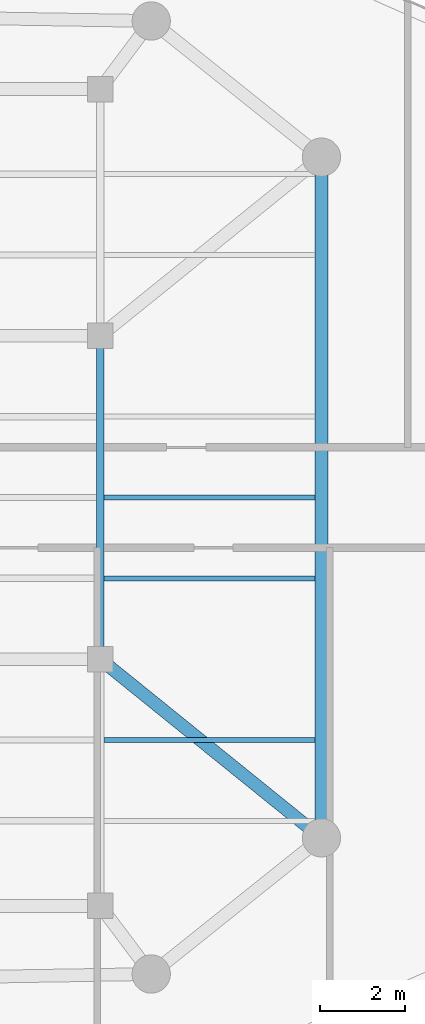
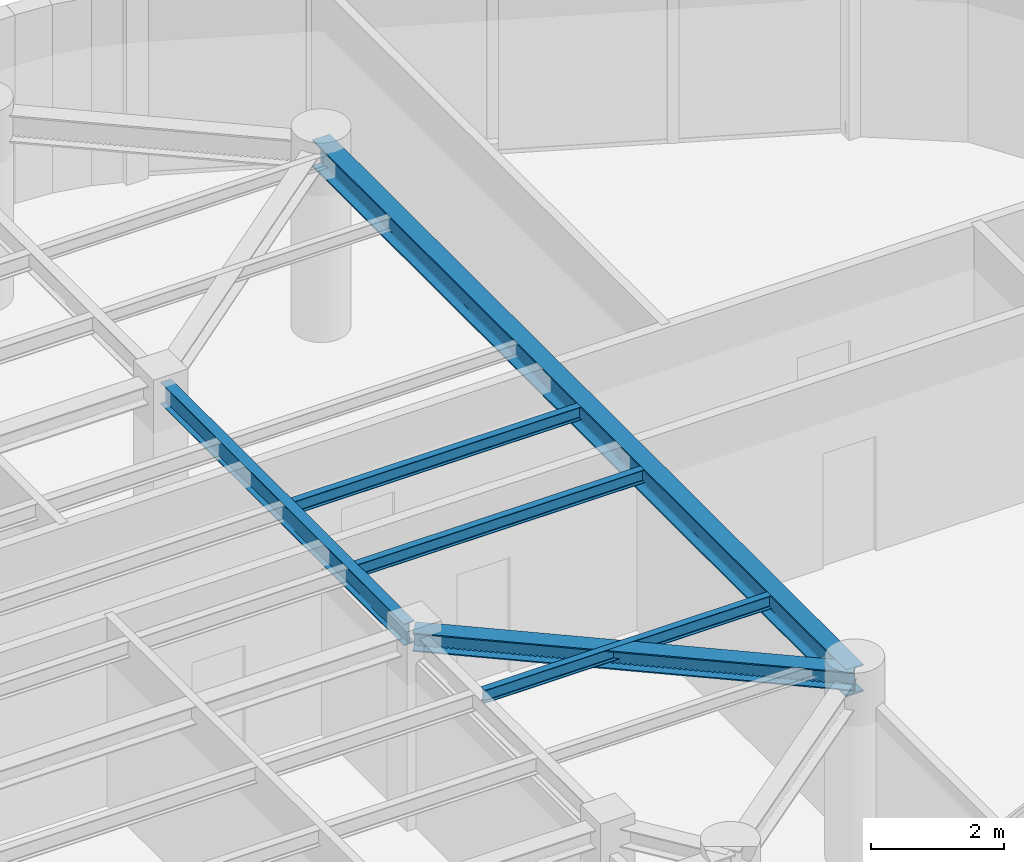
# One storey, part 3 of 14: 6 beams.
"""IFC4 building model written with IfcOpenShell, lengths in metres."""

import ifcopenshell
import ifcopenshell.guid

model = None  # the IFC model being written
_history = None  # IfcOwnerHistory: only IFC2X3 demands one
_inside = {}  # id of a spatial element -> (the spatial element, [elements in it])
_under = {}  # id of a project, library or spatial element -> (it, [spatial elements below it])
_declared = {}  # id of a project -> (the project, [libraries it declares])
_typed = {}  # id of a type object -> (the type object, [elements of that type])
_made_of = {}  # id of a material, layer set ... -> (it, [elements and type objects made of it])


def new_model(schema):
    """Start an empty IFC model of exactly this schema.

    Asked for "IFC4X3", IfcOpenShell would pick the latest addendum, in which some entities
    have other attributes; the version numbers below select the first issue.
    IFC2X3 requires an IfcOwnerHistory on every rooted entity: one is made here for all.
    """
    global model, _history
    if schema == "IFC4X3":
        model = ifcopenshell.file(schema_version=(4, 3, 0, 0))
    else:
        model = ifcopenshell.file(schema=schema)
    _inside.clear()
    _under.clear()
    _declared.clear()
    _typed.clear()
    _made_of.clear()
    _history = None
    if model.schema == "IFC2X3":
        org = make("IfcOrganization", Name="unknown")
        user = make(
            "IfcPersonAndOrganization",
            ThePerson=make("IfcPerson", FamilyName="unknown"),
            TheOrganization=org,
        )
        app = make(
            "IfcApplication",
            ApplicationDeveloper=org,
            Version="unknown",
            ApplicationFullName="unknown",
            ApplicationIdentifier="unknown",
        )
        _history = make(
            "IfcOwnerHistory",
            OwningUser=user,
            OwningApplication=app,
            ChangeAction="ADDED",
            CreationDate=0,
        )
    return model


def make(cls, **values):
    """One entity of the class cls with the attributes given. An attribute that is None is left unset."""
    return model.create_entity(
        cls, **{name: value for name, value in values.items() if value is not None}
    )


def rooted(cls, **values):
    """An entity with a GlobalId (a new one), such as an element, a storey or a relation."""
    return make(cls, GlobalId=ifcopenshell.guid.new(), OwnerHistory=_history, **values)


def si_unit(unit_type, name, prefix=None):
    """IfcSIUnit, for example si_unit("LENGTHUNIT", "METRE", prefix="MILLI")."""
    return make("IfcSIUnit", UnitType=unit_type, Prefix=prefix, Name=name)


def assignment(units):
    """IfcUnitAssignment: the units of a project."""
    return None if units is None else make("IfcUnitAssignment", Units=units)


def point(xyz):
    """IfcCartesianPoint."""
    return None if xyz is None else make("IfcCartesianPoint", Coordinates=xyz)


def direction(xyz):
    """IfcDirection."""
    return None if xyz is None else make("IfcDirection", DirectionRatios=xyz)


def frame(location, z_axis=None, x_axis=None):
    """IfcAxis2Placement3D, a coordinate frame: its origin and axes. An axis left out is left unset."""
    return make(
        "IfcAxis2Placement3D",
        Location=point(location),
        Axis=direction(z_axis),
        RefDirection=direction(x_axis),
    )


def frame_2d(location, x_axis=None):
    """IfcAxis2Placement2D, a coordinate frame in the plane: its origin and x axis."""
    return make(
        "IfcAxis2Placement2D", Location=point(location), RefDirection=direction(x_axis)
    )


def origin():
    """The frame at (0, 0, 0) with its axes left unset."""
    return frame((0.0, 0.0, 0.0))


def origin_2d():
    """The frame at (0, 0) in the plane with its x axis left unset."""
    return frame_2d((0.0, 0.0))


def place(relative_to, where):
    """IfcLocalPlacement: puts the frame where relative to a parent placement (None: the world)."""
    return make(
        "IfcLocalPlacement", PlacementRelTo=relative_to, RelativePlacement=where
    )


def context(
    kind, dimensions, precision=None, world=None, true_north=None, identifier=None
):
    """IfcGeometricRepresentationContext, for example the 3D "Model" context."""
    return make(
        "IfcGeometricRepresentationContext",
        ContextIdentifier=identifier,
        ContextType=kind,
        CoordinateSpaceDimension=dimensions,
        Precision=precision,
        WorldCoordinateSystem=world,
        TrueNorth=true_north,
    )


def subcontext(parent, identifier, kind, view, scale=None):
    """IfcGeometricRepresentationSubContext, for example "Body" below "Model"."""
    return make(
        "IfcGeometricRepresentationSubContext",
        ContextIdentifier=identifier,
        ContextType=kind,
        ParentContext=parent,
        TargetScale=scale,
        TargetView=view,
    )


def project(units=None, contexts=None):
    """IfcProject with its units and contexts."""
    return rooted(
        "IfcProject",
        Name="project",
        RepresentationContexts=contexts,
        UnitsInContext=assignment(units),
    )


def spatial(cls, under=None, at=None, **own):
    """A site, building, storey or space (cls), placed at a placement, below another one or the project."""
    s = rooted(cls, ObjectPlacement=at, **own)
    if under is not None:
        _under.setdefault(under.id(), (under, []))[1].append(s)
    return s


def profile(cls, at=None, kind="AREA", **sizes):
    """A parametric profile (cls). Its sizes go by their IFC names, for example OverallWidth=200.0."""
    return make(cls, ProfileType=kind, Position=at, **sizes)


def i_section(**sizes):
    """IfcIShapeProfileDef."""
    return profile("IfcIShapeProfileDef", **sizes)


def extrude(swept, where, along, depth):
    """IfcExtrudedAreaSolid: the profile swept, set in the frame where, extruded along a direction by depth."""
    return make(
        "IfcExtrudedAreaSolid",
        SweptArea=swept,
        Position=where,
        ExtrudedDirection=direction(along),
        Depth=depth,
    )


def shape(context_of_items, identifier, shape_type, items):
    """IfcShapeRepresentation: the items that make up one representation, for example the "Body"."""
    return make(
        "IfcShapeRepresentation",
        ContextOfItems=context_of_items,
        RepresentationIdentifier=identifier,
        RepresentationType=shape_type,
        Items=items,
    )


def material(Name=None, Category=None):
    """IfcMaterial."""
    return make("IfcMaterial", Name=Name, Category=Category)


def material_profile(
    of_material, cross_section, Name=None, Category=None, Priority=None
):
    """IfcMaterialProfile: a cross section and its material."""
    return make(
        "IfcMaterialProfile",
        Name=Name,
        Material=of_material,
        Profile=cross_section,
        Priority=Priority,
        Category=Category,
    )


def profile_set(profiles, Name=None, composite=None):
    """IfcMaterialProfileSet."""
    return make(
        "IfcMaterialProfileSet",
        Name=Name,
        MaterialProfiles=profiles,
        CompositeProfile=composite,
    )


def made_of(thing, what):
    """Note that an element or type object is made of a material, layer set ...; save() writes the relation."""
    if what is not None:
        _made_of.setdefault(what.id(), (what, []))[1].append(thing)
    return thing


def type_object(cls, material=None, **own):
    """A type object (cls), such as IfcWallType, which elements share."""
    return made_of(rooted(cls, **own), material)


def element(
    cls,
    number,
    at=None,
    inside=None,
    cuts=None,
    type_object=None,
    material=None,
    context=None,
    identifier="Body",
    shape_type=None,
    held_by="IfcProductDefinitionShape",
    body=None,
    shapes=None,
    **own,
):
    """One element of the class cls, such as IfcWall. Its Tag is "e" and its number.

    at: its placement. inside: the storey or other place that contains it. cuts: it is an
    opening in that element (IfcRelVoidsElement). A single representation is given by context,
    identifier, shape_type and body (its items); several are given by shapes. held_by: the class
    of the entity that holds the representations. save() writes the other relations.
    """
    e = rooted(cls, Tag="e%d" % number, ObjectPlacement=at, **own)
    if body is not None:
        shapes = [shape(context, identifier, shape_type, body)]
    if shapes is not None:
        e.Representation = make(held_by, Representations=shapes)
    if inside is not None:
        _inside.setdefault(inside.id(), (inside, []))[1].append(e)
    if cuts is not None:
        rooted(
            "IfcRelVoidsElement", RelatingBuildingElement=cuts, RelatedOpeningElement=e
        )
    if type_object is not None:
        _typed.setdefault(type_object.id(), (type_object, []))[1].append(e)
    return made_of(e, material)


def aggregate(whole, parts):
    """IfcRelAggregates: a whole, such as a stair, and the parts it consists of."""
    return rooted("IfcRelAggregates", RelatingObject=whole, RelatedObjects=parts)


def save(model, path):
    """Write the relations noted so far, then the file.

    IfcRelAggregates (storeys below a building ...), IfcRelContainedInSpatialStructure (elements
    in a storey), IfcRelDefinesByType, IfcRelAssociatesMaterial and IfcRelDeclares: one each for
    every whole, place, type object, material and project.
    """
    for whole, parts in _under.values():
        aggregate(whole, parts)
    for where, things in _inside.values():
        rooted(
            "IfcRelContainedInSpatialStructure",
            RelatedElements=things,
            RelatingStructure=where,
        )
    for kind, things in _typed.values():
        rooted("IfcRelDefinesByType", RelatedObjects=things, RelatingType=kind)
    for what, things in _made_of.values():
        rooted("IfcRelAssociatesMaterial", RelatedObjects=things, RelatingMaterial=what)
    for by, libraries in _declared.values():
        rooted("IfcRelDeclares", RelatingContext=by, RelatedDefinitions=libraries)
    model.write(path)


model = new_model("IFC4")

# Units and contexts
model_context = context("Model", 3, precision=1e-05, world=origin(), true_north=direction((0.0, 1.0)))
body_context = subcontext(model_context, "Body", "Model", "MODEL_VIEW")
ifc_project = project(units=[si_unit("LENGTHUNIT", "METRE"), si_unit("AREAUNIT", "SQUARE_METRE"), si_unit("VOLUMEUNIT", "CUBIC_METRE"), si_unit("PLANEANGLEUNIT", "RADIAN"), si_unit("MASSUNIT", "GRAM", prefix="KILO")], contexts=[model_context])

# Site, building, storey
site_placement = place(None, origin())
site = spatial("IfcSite", under=ifc_project, at=site_placement, CompositionType="ELEMENT")
building_placement = place(site_placement, origin())
building = spatial("IfcBuilding", under=site, at=building_placement, Name="An Khanh Terracotta Commons", CompositionType="ELEMENT")
storey_placement = place(building_placement, frame((0.0, 0.0, 284.35009765625)))
storey = spatial("IfcBuildingStorey", under=building, at=storey_placement, Name="L74", CompositionType="ELEMENT", Elevation=284.35009765625)

# Beams
ifc_material = material(Name="Steel S355J2", Category="steel")
ifc_material_profile_1 = material_profile(ifc_material, i_section(OverallWidth=0.300048828125, OverallDepth=0.340087890625, WebThickness=0.011962890625, FlangeThickness=0.021484375, FilletRadius=0.027099609375, at=origin_2d()), Name="HEB340")
ifc_profile_set_1 = profile_set([ifc_material_profile_1], Name="Steel S355J2")
beam_type_1 = type_object("IfcBeamType", Name="BM-HEB340", PredefinedType="BEAM", material=ifc_profile_set_1)
beam_1_placement = place(storey_placement, frame((63.39990234375, 16.0, 3.27978515625), z_axis=(-0.777941866883, 0.628336256913, 0.0), x_axis=(-0.628336256913, -0.777941866883, 0.0)))
element("IfcBeam", 1, at=beam_1_placement, inside=storey, type_object=beam_type_1, Name="L74 Mega-Column Tie Girder 3", PredefinedType="BEAM", context=body_context, shape_type="SweptSolid", body=[
    extrude(i_section(OverallWidth=0.300048828125, OverallDepth=0.340087890625, WebThickness=0.011962890625, FlangeThickness=0.021484375, FilletRadius=0.027099609375, at=origin_2d()), origin(), (0.0, 0.0, 1.0), 6.684326171875),
])
ifc_material_profile_2 = material_profile(ifc_material, i_section(OverallWidth=0.300048828125, OverallDepth=0.5, WebThickness=0.014404296875, FlangeThickness=0.028076171875, FilletRadius=0.027099609375, at=origin_2d()), Name="HEB500")
ifc_profile_set_2 = profile_set([ifc_material_profile_2], Name="Steel S355J2")
beam_type_2 = type_object("IfcBeamType", Name="BM-HEB500", PredefinedType="BEAM", material=ifc_profile_set_2)
beam_2_placement = place(storey_placement, frame((63.39990234375, 16.0, 3.199951171875), z_axis=(0.0, 1.0, 0.0), x_axis=(-1.0, 0.0, 0.0)))
element("IfcBeam", 2, at=beam_2_placement, inside=storey, type_object=beam_type_2, Name="L74 Perimeter Ring Spandrel 3", PredefinedType="BEAM", context=body_context, shape_type="SweptSolid", body=[
    extrude(i_section(OverallWidth=0.300048828125, OverallDepth=0.5, WebThickness=0.014404296875, FlangeThickness=0.028076171875, FilletRadius=0.027099609375, at=origin_2d()), origin(), (0.0, 0.0, 1.0), 16.0),
])
ifc_material_profile_3 = material_profile(ifc_material, i_section(OverallWidth=0.1201171875, OverallDepth=0.239990234375, WebThickness=0.006103515625, FlangeThickness=0.009765625, FilletRadius=0.014892578125, at=origin_2d()), Name="IPE240")
ifc_profile_set_3 = profile_set([ifc_material_profile_3], Name="Steel S355J2")
beam_type_3 = type_object("IfcBeamType", Name="BM-IPE240", PredefinedType="JOIST", material=ifc_profile_set_3)
for number, where, z_axis, x_axis, name in (
    (3, (58.2900390625, 18.300048828125, 3.329833984375), (1.0, 0.0, 0.0), (0.0, 1.0, 0.0), "L74 Riverfront Composite Joist 2"),
    (4, (58.2900390625, 22.10009765625, 3.329833984375), (1.0, 0.0, 0.0), (0.0, 1.0, 0.0), "L74 Riverfront Composite Joist 3"),
    (5, (58.2900390625, 24.0, 3.329833984375), (1.0, 0.0, 0.0), (0.0, 1.0, 0.0), "L74 Riverfront Composite Joist 4"),
):
    element("IfcBeam", number, at=place(storey_placement, frame(where, z_axis=z_axis, x_axis=x_axis)), inside=storey, type_object=beam_type_3, Name=name, PredefinedType="JOIST", context=body_context, shape_type="SweptSolid", body=[
        extrude(i_section(OverallWidth=0.1201171875, OverallDepth=0.239990234375, WebThickness=0.006103515625, FlangeThickness=0.009765625, FilletRadius=0.014892578125, at=origin_2d()), origin(), (0.0, 0.0, 1.0), 4.9599609375),
    ])
ifc_material_profile_4 = material_profile(ifc_material, i_section(OverallWidth=0.179931640625, OverallDepth=0.39990234375, WebThickness=0.008544921875, FlangeThickness=0.013427734375, FilletRadius=0.02099609375, at=origin_2d()), Name="IPE400")
ifc_profile_set_4 = profile_set([ifc_material_profile_4], Name="Steel S355J2")
beam_type_4 = type_object("IfcBeamType", Name="BM-IPE400", PredefinedType="JOIST", material=ifc_profile_set_4)
beam_3_placement = place(storey_placement, frame((58.199951171875, 20.35009765625, 3.25), z_axis=(0.0, 1.0, 0.0), x_axis=(-1.0, 0.0, 0.0)))
element("IfcBeam", 6, at=beam_3_placement, inside=storey, type_object=beam_type_4, Name="L74 East Spine Girder 2", PredefinedType="JOIST", context=body_context, shape_type="SweptSolid", body=[
    extrude(i_section(OverallWidth=0.179931640625, OverallDepth=0.39990234375, WebThickness=0.008544921875, FlangeThickness=0.013427734375, FilletRadius=0.02099609375, at=origin_2d()), origin(), (0.0, 0.0, 1.0), 7.2998046875),
])

save(model, "model.ifc")
